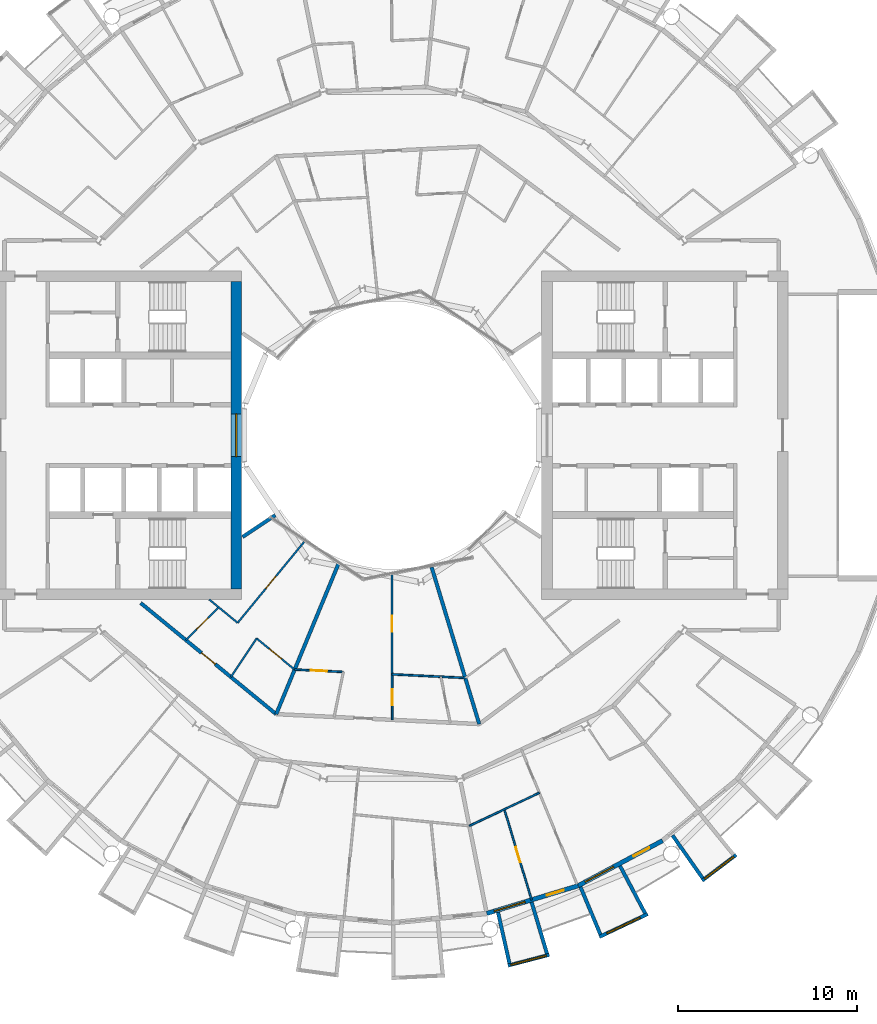
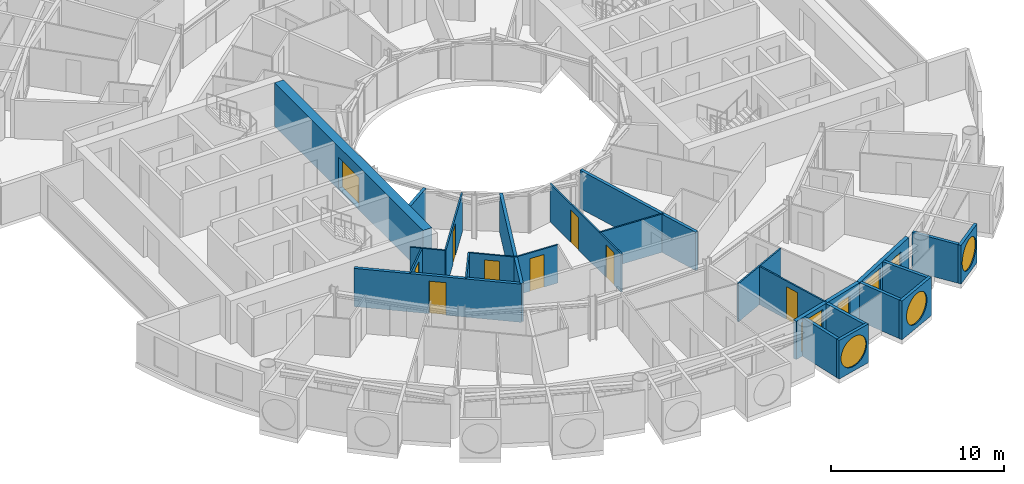
# One storey, part 16 of 27: 25 walls, 10 doors, 6 windows, 16 openings.
"""IFC4 building model written with IfcOpenShell, lengths in metres."""

from ifc_helpers import new_model, si_unit, direction, frame, frame_2d, origin, place, context, subcontext, project, spatial, rectangle, circle, extrude, material, layer, layer_set, type_object, element, fill, save


model = new_model("IFC4")

# Units and contexts
model_context = context("Model", 3, precision=1e-05, world=origin(), true_north=direction((0.0, 1.0)))
body_context = subcontext(model_context, "Body", "Model", "MODEL_VIEW")
ifc_project = project(units=[si_unit("LENGTHUNIT", "METRE"), si_unit("AREAUNIT", "SQUARE_METRE"), si_unit("VOLUMEUNIT", "CUBIC_METRE"), si_unit("PLANEANGLEUNIT", "RADIAN"), si_unit("MASSUNIT", "GRAM", prefix="KILO")], contexts=[model_context])

# Site, building, storey
site_placement = place(None, origin())
site = spatial("IfcSite", under=ifc_project, at=site_placement, CompositionType="ELEMENT")
building_placement = place(site_placement, origin())
building = spatial("IfcBuilding", under=site, at=building_placement, Name="Maasbend Ring Residences", CompositionType="ELEMENT")
storey_placement = place(building_placement, frame((0.0, 0.0, 111.64990234375)))
storey = spatial("IfcBuildingStorey", under=building, at=storey_placement, Name="L31", CompositionType="ELEMENT", Elevation=111.64990234375)

# Wall, opening, window
ifc_material_1 = material(Name="Concrete C60/75", Category="concrete")
ifc_layer_1 = layer(ifc_material_1, 0.60009765625)
ifc_layer_set_1 = layer_set([ifc_layer_1], Name="Concrete C60/75")
wall_type_1 = type_object("IfcWallType", Name="CORE WALL 600 C60/75", PredefinedType="SHEAR", material=ifc_layer_set_1)
wall_1_placement = place(storey_placement, frame((-8.699951171875, 8.60009765625, 0.0), z_axis=(0.0, 0.0, 1.0), x_axis=(0.0, -1.0, 0.0)))
wall_1 = element("IfcWall", 1, at=wall_1_placement, inside=storey, type_object=wall_type_1, Name="L31 core W wall PIN", PredefinedType="SHEAR", context=body_context, shape_type="SweptSolid", body=[
    extrude(rectangle(XDim=17.2001953125, YDim=0.60009765625, at=frame_2d((8.60009765625, 0.0))), origin(), (0.0, 0.0, 1.0), 3.050048828125),
])
opening_1_placement = place(wall_1_placement, frame((7.39990234375, 0.0, 0.10009765625)))
opening_1 = element("IfcOpeningElement", 2, at=opening_1_placement, cuts=wall_1, Name="Opening W-W3101", PredefinedType="OPENING", context=body_context, shape_type="SweptSolid", body=[
    extrude(rectangle(XDim=2.39990234375, YDim=2.199951171875, at=frame_2d((1.199951171875, 1.10009765625))), frame((0.0, 0.31005859375, 0.0), z_axis=(0.0, -1.0, 0.0), x_axis=(1.0, 0.0, 0.0)), (0.0, 0.0, 1.0), 0.6201171875),
])
ifc_material_2 = material(Name="Aluminium frame and clear glass", Category="aluminium")
window_type_1 = type_object("IfcWindowType", Name="FIXED WINDOW 2400 X 2200", PartitioningType="SINGLE_PANEL", PredefinedType="WINDOW", material=ifc_material_2)
window_1_placement = place(opening_1_placement, origin())
window_1 = element("IfcWindow", 3, at=window_1_placement, inside=storey, type_object=window_type_1, Name="Lobby window L31", OverallHeight=2.199951171875, OverallWidth=2.39990234375, PartitioningType="SINGLE_PANEL", PredefinedType="WINDOW", context=body_context, shape_type="SweptSolid", body=[
    extrude(rectangle(XDim=2.39990234375, YDim=2.199951171875, at=frame_2d((1.199951171875, 1.10009765625))), frame((0.0, 0.030029296875, 0.0), z_axis=(0.0, -1.0, 0.0), x_axis=(1.0, 0.0, 0.0)), (0.0, 0.0, 1.0), 0.06005859375),
])
fill(opening_1, window_1)

# Wall, opening, door
ifc_material_3 = material(Name="Concrete C30/37", Category="concrete")
ifc_layer_2 = layer(ifc_material_3, 0.199951171875)
ifc_layer_set_2 = layer_set([ifc_layer_2], Name="Concrete C30/37")
wall_type_2 = type_object("IfcWallType", Name="CORRIDOR WALL 200 CONCRETE", PredefinedType="PARTITIONING", material=ifc_layer_set_2)
wall_2_placement = place(storey_placement, frame((-14.050048828125, -9.39208984375, 0.0), z_axis=(0.0, 0.0, 1.0), x_axis=(0.773074935257, -0.634314704605, 0.0)))
wall_2 = element("IfcWall", 4, at=wall_2_placement, inside=storey, type_object=wall_type_2, Name="U-L31-w015", PredefinedType="PARTITIONING", context=body_context, shape_type="SweptSolid", body=[
    extrude(rectangle(XDim=9.808837890625, YDim=0.199951171875, at=frame_2d((4.904296875, 0.0))), origin(), (0.0, 0.0, 1.0), 2.7001953125),
])
opening_2_placement = place(wall_2_placement, frame((4.402099609375, 0.0, 0.0)))
opening_2 = element("IfcOpeningElement", 5, at=opening_2_placement, cuts=wall_2, Name="Opening D-3154", PredefinedType="OPENING", context=body_context, shape_type="SweptSolid", body=[
    extrude(rectangle(XDim=1.0, YDim=2.300048828125, at=frame_2d((0.5, 1.14990234375))), frame((0.0, 0.10986328125, 0.0), z_axis=(0.0, -1.0, 0.0), x_axis=(1.0, 0.0, 0.0)), (0.0, 0.0, 1.0), 0.219970703125),
])
ifc_material_4 = material(Name="Timber, fire-rated, painted", Category="wood")
door_type_1 = type_object("IfcDoorType", Name="FLAT ENTRANCE DOOR 1000 X 2300 FIRE-RATED", OperationType="NOTDEFINED", PredefinedType="DOOR", material=ifc_material_4)
door_1_placement = place(opening_2_placement, origin())
door_1 = element("IfcDoor", 6, at=door_1_placement, inside=storey, type_object=door_type_1, Name="D-3154", OperationType="SINGLE_SWING_LEFT", OverallHeight=2.300048828125, OverallWidth=1.0, PredefinedType="DOOR", context=body_context, shape_type="SweptSolid", body=[
    extrude(rectangle(XDim=1.0, YDim=2.300048828125, at=frame_2d((0.5, 1.14990234375))), frame((0.0, 0.02490234375, 0.0), z_axis=(0.0, -1.0, 0.0), x_axis=(1.0, 0.0, 0.0)), (0.0, 0.0, 1.0), 0.050048828125),
])
fill(opening_2, door_1)

# Wall, opening, window
ifc_material_5 = material(Name="Pale anodised aluminium panel", Category="aluminium")
ifc_layer_3 = layer(ifc_material_5, 0.199951171875)
ifc_layer_set_3 = layer_set([ifc_layer_3], Name="EW-BOX")
wall_type_3 = type_object("IfcWallType", Name="EW-BOX", PredefinedType="SOLIDWALL", material=ifc_layer_set_3)
wall_3_placement = place(storey_placement, frame((6.514892578125, -29.694091796875, -0.02978515625), z_axis=(0.0, 0.0, 1.0), x_axis=(0.967554339146, 0.252663018266, 0.0)))
wall_3 = element("IfcWall", 7, at=wall_3_placement, inside=storey, type_object=wall_type_3, Name="Box front S13", PredefinedType="SOLIDWALL", context=body_context, shape_type="SweptSolid", body=[
    extrude(rectangle(XDim=2.390625, YDim=0.199951171875, at=frame_2d((1.1953125, 0.0))), origin(), (0.0, 0.0, 1.0), 2.72998046875),
])
opening_3_placement = place(wall_3_placement, frame((0.15576171875, 0.0, 0.330078125)))
opening_3 = element("IfcOpeningElement", 8, at=opening_3_placement, cuts=wall_3, Name="Opening W-RD", PredefinedType="OPENING", context=body_context, shape_type="SweptSolid", body=[
    extrude(circle(Radius=1.0400390625, at=frame_2d((1.0400390625, 1.0400390625))), frame((0.0, 0.10986328125, 0.0), z_axis=(0.0, -1.0, 0.0), x_axis=(1.0, 0.0, 0.0)), (0.0, 0.0, 1.0), 0.219970703125),
])
ifc_material_6 = material(Name="Aluminium and clear glass", Category="aluminium")
window_type_2 = type_object("IfcWindowType", Name="W-RD", PartitioningType="SINGLE_PANEL", PredefinedType="WINDOW", material=ifc_material_6)
window_2_placement = place(opening_3_placement, origin())
window_2 = element("IfcWindow", 9, at=window_2_placement, inside=storey, type_object=window_type_2, Name="Round window S13", OverallHeight=2.080078125, OverallWidth=2.080078125, PartitioningType="SINGLE_PANEL", PredefinedType="WINDOW", context=body_context, shape_type="SweptSolid", body=[
    extrude(circle(Radius=1.0400390625, at=frame_2d((1.0400390625, 1.0400390625))), frame((0.0, 0.030029296875, 0.0), z_axis=(0.0, -1.0, 0.0), x_axis=(1.0, 0.0, 0.0)), (0.0, 0.0, 1.0), 0.06005859375),
])
fill(opening_3, window_2)

# Walls
wall_4_placement = place(storey_placement, frame((5.95703125, -26.715087890625, -0.02978515625), z_axis=(0.0, 0.0, 1.0), x_axis=(0.217857287091, -0.975980636315, 0.0)))
element("IfcWall", 10, at=wall_4_placement, inside=storey, type_object=wall_type_3, Name="Box side wall S13 left", PredefinedType="SOLIDWALL", context=body_context, shape_type="SweptSolid", body=[
    extrude(rectangle(XDim=2.92822265625, YDim=0.199951171875, at=frame_2d((1.464111328125, 0.0))), origin(), (0.0, 0.0, 1.0), 2.72998046875),
])
wall_5_placement = place(storey_placement, frame((7.8369140625, -26.14404296875, -0.02978515625), z_axis=(0.0, 0.0, 1.0), x_axis=(0.287064767992, -0.957911174889, 0.0)))
element("IfcWall", 11, at=wall_5_placement, inside=storey, type_object=wall_type_3, Name="Box side wall S13 right", PredefinedType="SOLIDWALL", context=body_context, shape_type="SweptSolid", body=[
    extrude(rectangle(XDim=3.00634765625, YDim=0.199951171875, at=frame_2d((1.503173828125, 0.0))), origin(), (0.0, 0.0, 1.0), 2.72998046875),
])

# Wall, opening, window
wall_6_placement = place(storey_placement, frame((11.62890625, -28.087890625, -0.02978515625), z_axis=(0.0, 0.0, 1.0), x_axis=(0.904000060331, 0.427532327342, 0.0)))
wall_6 = element("IfcWall", 12, at=wall_6_placement, inside=storey, type_object=wall_type_3, Name="Box front S15", PredefinedType="SOLIDWALL", context=body_context, shape_type="SweptSolid", body=[
    extrude(rectangle(XDim=2.993408203125, YDim=0.199951171875, at=frame_2d((1.49658203125, 0.0))), origin(), (0.0, 0.0, 1.0), 2.72998046875),
])
opening_4_placement = place(wall_6_placement, frame((0.45654296875, 0.0, 0.330078125)))
opening_4 = element("IfcOpeningElement", 13, at=opening_4_placement, cuts=wall_6, Name="Opening W-RD", PredefinedType="OPENING", context=body_context, shape_type="SweptSolid", body=[
    extrude(circle(Radius=1.0400390625, at=frame_2d((1.0400390625, 1.0400390625))), frame((0.0, 0.10986328125, 0.0), z_axis=(0.0, -1.0, 0.0), x_axis=(1.0, 0.0, 0.0)), (0.0, 0.0, 1.0), 0.219970703125),
])
window_3_placement = place(opening_4_placement, origin())
window_3 = element("IfcWindow", 14, at=window_3_placement, inside=storey, type_object=window_type_2, Name="Round window S15", OverallHeight=2.080078125, OverallWidth=2.080078125, PartitioningType="SINGLE_PANEL", PredefinedType="WINDOW", context=body_context, shape_type="SweptSolid", body=[
    extrude(circle(Radius=1.0400390625, at=frame_2d((1.0400390625, 1.0400390625))), frame((0.0, 0.030029296875, 0.0), z_axis=(0.0, -1.0, 0.0), x_axis=(1.0, 0.0, 0.0)), (0.0, 0.0, 1.0), 0.06005859375),
])
fill(opening_4, window_3)

# Walls
wall_7_placement = place(storey_placement, frame((10.574951171875, -25.294921875, -0.02978515625), z_axis=(0.0, 0.0, 1.0), x_axis=(0.385697364644, -0.922625353492, 0.0)))
element("IfcWall", 15, at=wall_7_placement, inside=storey, type_object=wall_type_3, Name="Box side wall S15 left", PredefinedType="SOLIDWALL", context=body_context, shape_type="SweptSolid", body=[
    extrude(rectangle(XDim=2.88330078125, YDim=0.199951171875, at=frame_2d((1.441650390625, 0.0))), origin(), (0.0, 0.0, 1.0), 2.72998046875),
])
wall_8_placement = place(storey_placement, frame((12.787109375, -24.113037109375, -0.02978515625), z_axis=(0.0, 0.0, 1.0), x_axis=(0.468365282436, -0.883534924159, 0.0)))
element("IfcWall", 16, at=wall_8_placement, inside=storey, type_object=wall_type_3, Name="Box side wall S15 right", PredefinedType="SOLIDWALL", context=body_context, shape_type="SweptSolid", body=[
    extrude(rectangle(XDim=3.006103515625, YDim=0.199951171875, at=frame_2d((1.5029296875, 0.0))), origin(), (0.0, 0.0, 1.0), 2.72998046875),
])

# Wall, opening, window
wall_9_placement = place(storey_placement, frame((17.382080078125, -24.93994140625, -0.02978515625), z_axis=(0.0, 0.0, 1.0), x_axis=(0.797456837111, 0.603375996329, 0.0)))
wall_9 = element("IfcWall", 17, at=wall_9_placement, inside=storey, type_object=wall_type_3, Name="Box front S17", PredefinedType="SOLIDWALL", context=body_context, shape_type="SweptSolid", body=[
    extrude(rectangle(XDim=2.391357421875, YDim=0.199951171875, at=frame_2d((1.19580078125, 0.0))), origin(), (0.0, 0.0, 1.0), 2.72998046875),
])
opening_5_placement = place(wall_9_placement, frame((0.15576171875, 0.0, 0.330078125)))
opening_5 = element("IfcOpeningElement", 18, at=opening_5_placement, cuts=wall_9, Name="Opening W-RD", PredefinedType="OPENING", context=body_context, shape_type="SweptSolid", body=[
    extrude(circle(Radius=1.0400390625, at=frame_2d((1.0400390625, 1.0400390625))), frame((0.0, 0.10986328125, 0.0), z_axis=(0.0, -1.0, 0.0), x_axis=(1.0, 0.0, 0.0)), (0.0, 0.0, 1.0), 0.219970703125),
])
window_4_placement = place(opening_5_placement, origin())
window_4 = element("IfcWindow", 19, at=window_4_placement, inside=storey, type_object=window_type_2, Name="Round window S17", OverallHeight=2.080078125, OverallWidth=2.080078125, PartitioningType="SINGLE_PANEL", PredefinedType="WINDOW", context=body_context, shape_type="SweptSolid", body=[
    extrude(circle(Radius=1.0400390625, at=frame_2d((1.0400390625, 1.0400390625))), frame((0.0, 0.030029296875, 0.0), z_axis=(0.0, -1.0, 0.0), x_axis=(1.0, 0.0, 0.0)), (0.0, 0.0, 1.0), 0.06005859375),
])
fill(opening_5, window_4)

# Wall
wall_10_placement = place(storey_placement, frame((15.72607421875, -22.402099609375, -0.02978515625), z_axis=(0.0, 0.0, 1.0), x_axis=(0.574826383135, -0.818275399393, 0.0)))
element("IfcWall", 20, at=wall_10_placement, inside=storey, type_object=wall_type_3, Name="Box side wall S17 left", PredefinedType="SOLIDWALL", context=body_context, shape_type="SweptSolid", body=[
    extrude(rectangle(XDim=2.92919921875, YDim=0.199951171875, at=frame_2d((1.464599609375, 0.0))), origin(), (0.0, 0.0, 1.0), 2.72998046875),
])

# Wall, openings, door, window
ifc_material_7 = material(Name="Aluminium clad insulated panel", Category="aluminium")
ifc_layer_4 = layer(ifc_material_7, 0.25)
ifc_layer_set_4 = layer_set([ifc_layer_4], Name="EW-GL")
wall_type_4 = type_object("IfcWallType", Name="EW-GL", PredefinedType="SOLIDWALL", material=ifc_layer_set_4)
wall_11_placement = place(storey_placement, frame((5.325927734375, -26.77490234375, 0.0), z_axis=(0.0, 0.0, 1.0), x_axis=(0.956965678721, 0.290201119486, 0.0)))
wall_11 = element("IfcWall", 21, at=wall_11_placement, inside=storey, type_object=wall_type_4, Name="External wall S07", PredefinedType="SOLIDWALL", context=body_context, shape_type="SweptSolid", body=[
    extrude(rectangle(XDim=5.351318359375, YDim=0.25, at=frame_2d((2.67578125, 0.0))), origin(), (0.0, 0.0, 1.0), 2.7001953125),
])
opening_6_placement = place(wall_11_placement, frame((0.441162109375, 0.0, 0.300048828125)))
opening_6 = element("IfcOpeningElement", 22, at=opening_6_placement, cuts=wall_11, Name="Opening W-BX", PredefinedType="OPENING", context=body_context, shape_type="SweptSolid", body=[
    extrude(rectangle(XDim=1.800048828125, YDim=2.10009765625, at=frame_2d((0.89990234375, 1.050048828125))), frame((0.0, 0.135009765625, 0.0), z_axis=(0.0, -1.0, 0.0), x_axis=(1.0, 0.0, 0.0)), (0.0, 0.0, 1.0), 0.27001953125),
])
opening_7_placement = place(wall_11_placement, frame((3.510498046875, 0.0, 0.0)))
opening_7 = element("IfcOpeningElement", 23, at=opening_7_placement, cuts=wall_11, Name="Opening D-LG", PredefinedType="OPENING", context=body_context, shape_type="SweptSolid", body=[
    extrude(rectangle(XDim=1.0, YDim=2.199951171875, at=frame_2d((0.5, 1.10009765625))), frame((0.0, 0.135009765625, 0.0), z_axis=(0.0, -1.0, 0.0), x_axis=(1.0, 0.0, 0.0)), (0.0, 0.0, 1.0), 0.27001953125),
])
ifc_material_8 = material(Name="Aluminium and clear glass", Category="aluminium")
door_type_2 = type_object("IfcDoorType", Name="D-LG", OperationType="SINGLE_SWING_LEFT", PredefinedType="DOOR", material=ifc_material_8)
door_2_placement = place(opening_7_placement, origin())
door_2 = element("IfcDoor", 24, at=door_2_placement, inside=storey, type_object=door_type_2, Name="Loggia door S14", OperationType="SINGLE_SWING_LEFT", OverallHeight=2.199951171875, OverallWidth=1.0, PredefinedType="DOOR", context=body_context, shape_type="SweptSolid", body=[
    extrude(rectangle(XDim=1.0, YDim=2.199951171875, at=frame_2d((0.5, 1.10009765625))), frame((0.0, 0.02490234375, 0.0), z_axis=(0.0, -1.0, 0.0), x_axis=(1.0, 0.0, 0.0)), (0.0, 0.0, 1.0), 0.050048828125),
])
fill(opening_7, door_2)
ifc_material_9 = material(Name="Aluminium and clear glass", Category="aluminium")
window_type_3 = type_object("IfcWindowType", Name="W-BX", PartitioningType="DOUBLE_PANEL_VERTICAL", PredefinedType="WINDOW", material=ifc_material_9)
window_5_placement = place(opening_6_placement, origin())
window_5 = element("IfcWindow", 25, at=window_5_placement, inside=storey, type_object=window_type_3, Name="Window S13 room to box", OverallHeight=2.10009765625, OverallWidth=1.800048828125, PartitioningType="SINGLE_PANEL", PredefinedType="WINDOW", context=body_context, shape_type="SweptSolid", body=[
    extrude(rectangle(XDim=1.800048828125, YDim=2.10009765625, at=frame_2d((0.89990234375, 1.050048828125))), frame((0.0, 0.030029296875, 0.0), z_axis=(0.0, -1.0, 0.0), x_axis=(1.0, 0.0, 0.0)), (0.0, 0.0, 1.0), 0.06005859375),
])
fill(opening_6, window_5)

wall_12_placement = place(storey_placement, frame((10.447021484375, -25.221923828125, 0.0), z_axis=(0.0, 0.0, 1.0), x_axis=(0.881915646801, 0.471407246368, 0.0)))
wall_12 = element("IfcWall", 26, at=wall_12_placement, inside=storey, type_object=wall_type_4, Name="External wall S08", PredefinedType="SOLIDWALL", context=body_context, shape_type="SweptSolid", body=[
    extrude(rectangle(XDim=5.35205078125, YDim=0.25, at=frame_2d((2.676025390625, 0.0))), origin(), (0.0, 0.0, 1.0), 2.7001953125),
])
opening_8_placement = place(wall_12_placement, frame((0.441162109375, 0.0, 0.300048828125)))
opening_8 = element("IfcOpeningElement", 27, at=opening_8_placement, cuts=wall_12, Name="Opening W-BX", PredefinedType="OPENING", context=body_context, shape_type="SweptSolid", body=[
    extrude(rectangle(XDim=1.800048828125, YDim=2.10009765625, at=frame_2d((0.89990234375, 1.050048828125))), frame((0.0, 0.135009765625, 0.0), z_axis=(0.0, -1.0, 0.0), x_axis=(1.0, 0.0, 0.0)), (0.0, 0.0, 1.0), 0.27001953125),
])
opening_9_placement = place(wall_12_placement, frame((3.510498046875, 0.0, 0.0)))
opening_9 = element("IfcOpeningElement", 28, at=opening_9_placement, cuts=wall_12, Name="Opening D-LG", PredefinedType="OPENING", context=body_context, shape_type="SweptSolid", body=[
    extrude(rectangle(XDim=1.0, YDim=2.199951171875, at=frame_2d((0.5, 1.10009765625))), frame((0.0, 0.135009765625, 0.0), z_axis=(0.0, -1.0, 0.0), x_axis=(1.0, 0.0, 0.0)), (0.0, 0.0, 1.0), 0.27001953125),
])
door_3_placement = place(opening_9_placement, origin())
door_3 = element("IfcDoor", 29, at=door_3_placement, inside=storey, type_object=door_type_2, Name="Loggia door S16", OperationType="SINGLE_SWING_LEFT", OverallHeight=2.199951171875, OverallWidth=1.0, PredefinedType="DOOR", context=body_context, shape_type="SweptSolid", body=[
    extrude(rectangle(XDim=1.0, YDim=2.199951171875, at=frame_2d((0.5, 1.10009765625))), frame((0.0, 0.02490234375, 0.0), z_axis=(0.0, -1.0, 0.0), x_axis=(1.0, 0.0, 0.0)), (0.0, 0.0, 1.0), 0.050048828125),
])
fill(opening_9, door_3)
window_6_placement = place(opening_8_placement, origin())
window_6 = element("IfcWindow", 30, at=window_6_placement, inside=storey, type_object=window_type_3, Name="Window S15 room to box", OverallHeight=2.10009765625, OverallWidth=1.800048828125, PartitioningType="SINGLE_PANEL", PredefinedType="WINDOW", context=body_context, shape_type="SweptSolid", body=[
    extrude(rectangle(XDim=1.800048828125, YDim=2.10009765625, at=frame_2d((0.89990234375, 1.050048828125))), frame((0.0, 0.030029296875, 0.0), z_axis=(0.0, -1.0, 0.0), x_axis=(1.0, 0.0, 0.0)), (0.0, 0.0, 1.0), 0.06005859375),
])
fill(opening_8, window_6)

# Walls
ifc_material_10 = material(Name="Gypsum board on steel studs", Category="steel")
ifc_layer_5 = layer(ifc_material_10, 0.10009765625)
ifc_layer_set_5 = layer_set([ifc_layer_5], Name="PARTITION 100 GYPSUM")
wall_type_5 = type_object("IfcWallType", Name="PARTITION 100 GYPSUM", PredefinedType="PARTITIONING", material=ifc_layer_set_5)
wall_13_placement = place(storey_placement, frame((4.35205078125, -21.873046875, 0.0), z_axis=(0.0, 0.0, 1.0), x_axis=(0.903905215872, 0.427732814639, 0.0)))
element("IfcWall", 31, at=wall_13_placement, inside=storey, type_object=wall_type_5, Name="U-L31-w005", PredefinedType="PARTITIONING", context=body_context, shape_type="SweptSolid", body=[
    extrude(rectangle(XDim=4.33447265625, YDim=0.10009765625, at=frame_2d((2.167236328125, 0.0))), origin(), (0.0, 0.0, 1.0), 2.7001953125),
])
wall_14_placement = place(storey_placement, frame((-10.212890625, -9.197021484375, 0.0), z_axis=(0.0, 0.0, 1.0), x_axis=(0.772817828959, -0.634627925042, 0.0)))
element("IfcWall", 32, at=wall_14_placement, inside=storey, type_object=wall_type_5, Name="U-L31-w018", PredefinedType="PARTITIONING", context=body_context, shape_type="SweptSolid", body=[
    extrude(rectangle(XDim=2.0546875, YDim=0.10009765625, at=frame_2d((1.02734375, 0.0))), origin(), (0.0, 0.0, 1.0), 2.7001953125),
])

# Wall, opening, door
wall_15_placement = place(storey_placement, frame((-7.56298828125, -11.373046875, 0.0), z_axis=(0.0, 0.0, 1.0), x_axis=(0.772732480827, -0.634731843439, 0.0)))
wall_15 = element("IfcWall", 33, at=wall_15_placement, inside=storey, type_object=wall_type_5, Name="U-L31-w019", PredefinedType="PARTITIONING", context=body_context, shape_type="SweptSolid", body=[
    extrude(rectangle(XDim=2.74755859375, YDim=0.10009765625, at=frame_2d((1.373779296875, 0.0))), origin(), (0.0, 0.0, 1.0), 2.7001953125),
])
opening_10_placement = place(wall_15_placement, frame((0.929931640625, 0.0, 0.0)))
opening_10 = element("IfcOpeningElement", 34, at=opening_10_placement, cuts=wall_15, Name="Opening D-3155", PredefinedType="OPENING", context=body_context, shape_type="SweptSolid", body=[
    extrude(rectangle(XDim=0.89990234375, YDim=2.300048828125, at=frame_2d((0.449951171875, 1.14990234375))), frame((0.0, 0.06005859375, 0.0), z_axis=(0.0, -1.0, 0.0), x_axis=(1.0, 0.0, 0.0)), (0.0, 0.0, 1.0), 0.1201171875),
])
ifc_material_11 = material(Name="Timber, painted", Category="wood")
door_type_3 = type_object("IfcDoorType", Name="INTERNAL DOOR 900 X 2300", OperationType="NOTDEFINED", PredefinedType="DOOR", material=ifc_material_11)
door_4_placement = place(opening_10_placement, origin())
door_4 = element("IfcDoor", 35, at=door_4_placement, inside=storey, type_object=door_type_3, Name="D-3155", OperationType="SINGLE_SWING_RIGHT", OverallHeight=2.300048828125, OverallWidth=0.89990234375, PredefinedType="DOOR", context=body_context, shape_type="SweptSolid", body=[
    extrude(rectangle(XDim=0.89990234375, YDim=2.300048828125, at=frame_2d((0.449951171875, 1.14990234375))), frame((0.0, 0.02490234375, 0.0), z_axis=(0.0, -1.0, 0.0), x_axis=(1.0, 0.0, 0.0)), (0.0, 0.0, 1.0), 0.050048828125),
])
fill(opening_10, door_4)

wall_16_placement = place(storey_placement, frame((-5.43408203125, -13.118896484375, 0.0), z_axis=(0.0, 0.0, 1.0), x_axis=(0.998796928508, -0.049037695739, 0.0)))
wall_16 = element("IfcWall", 36, at=wall_16_placement, inside=storey, type_object=wall_type_5, Name="U-L31-w020", PredefinedType="PARTITIONING", context=body_context, shape_type="SweptSolid", body=[
    extrude(rectangle(XDim=2.733154296875, YDim=0.10009765625, at=frame_2d((1.36669921875, 0.0))), origin(), (0.0, 0.0, 1.0), 2.7001953125),
])
opening_11_placement = place(wall_16_placement, frame((0.9169921875, 0.0, 0.0)))
opening_11 = element("IfcOpeningElement", 37, at=opening_11_placement, cuts=wall_16, Name="Opening D-3159", PredefinedType="OPENING", context=body_context, shape_type="SweptSolid", body=[
    extrude(rectangle(XDim=0.89990234375, YDim=2.300048828125, at=frame_2d((0.449951171875, 1.14990234375))), frame((0.0, 0.06005859375, 0.0), z_axis=(0.0, -1.0, 0.0), x_axis=(1.0, 0.0, 0.0)), (0.0, 0.0, 1.0), 0.1201171875),
])
door_5_placement = place(opening_11_placement, origin())
door_5 = element("IfcDoor", 38, at=door_5_placement, inside=storey, type_object=door_type_3, Name="D-3159", OperationType="SINGLE_SWING_LEFT", OverallHeight=2.300048828125, OverallWidth=0.89990234375, PredefinedType="DOOR", context=body_context, shape_type="SweptSolid", body=[
    extrude(rectangle(XDim=0.89990234375, YDim=2.300048828125, at=frame_2d((0.449951171875, 1.14990234375))), frame((0.0, 0.02490234375, 0.0), z_axis=(0.0, -1.0, 0.0), x_axis=(1.0, 0.0, 0.0)), (0.0, 0.0, 1.0), 0.050048828125),
])
fill(opening_11, door_5)

# Wall
wall_17_placement = place(storey_placement, frame((0.027099609375, -13.386962890625, 0.0), z_axis=(0.0, 0.0, 1.0), x_axis=(0.998789681748, -0.049185075323, 0.0)))
element("IfcWall", 39, at=wall_17_placement, inside=storey, type_object=wall_type_5, Name="U-L31-w021", PredefinedType="PARTITIONING", context=body_context, shape_type="SweptSolid", body=[
    extrude(rectangle(XDim=4.10986328125, YDim=0.10009765625, at=frame_2d((2.054931640625, 0.0))), origin(), (0.0, 0.0, 1.0), 2.7001953125),
])

# Wall, opening, door
wall_18_placement = place(storey_placement, frame((-11.52392578125, -11.464111328125, 0.0), z_axis=(0.0, 0.0, 1.0), x_axis=(0.708796844581, 0.705412668665, 0.0)))
wall_18 = element("IfcWall", 40, at=wall_18_placement, inside=storey, type_object=wall_type_5, Name="U-L31-w040", PredefinedType="PARTITIONING", context=body_context, shape_type="SweptSolid", body=[
    extrude(rectangle(XDim=2.59716796875, YDim=0.10009765625, at=frame_2d((1.298583984375, 0.0))), origin(), (0.0, 0.0, 1.0), 2.7001953125),
])
opening_12_placement = place(wall_18_placement, frame((0.84912109375, 0.0, 0.0)))
opening_12 = element("IfcOpeningElement", 41, at=opening_12_placement, cuts=wall_18, Name="Opening D-3156", PredefinedType="OPENING", context=body_context, shape_type="SweptSolid", body=[
    extrude(rectangle(XDim=0.89990234375, YDim=2.300048828125, at=frame_2d((0.449951171875, 1.14990234375))), frame((0.0, 0.06005859375, 0.0), z_axis=(0.0, -1.0, 0.0), x_axis=(1.0, 0.0, 0.0)), (0.0, 0.0, 1.0), 0.1201171875),
])
door_6_placement = place(opening_12_placement, origin())
door_6 = element("IfcDoor", 42, at=door_6_placement, inside=storey, type_object=door_type_3, Name="D-3156", OperationType="SINGLE_SWING_RIGHT", OverallHeight=2.300048828125, OverallWidth=0.89990234375, PredefinedType="DOOR", context=body_context, shape_type="SweptSolid", body=[
    extrude(rectangle(XDim=0.89990234375, YDim=2.300048828125, at=frame_2d((0.449951171875, 1.14990234375))), frame((0.0, 0.02490234375, 0.0), z_axis=(0.0, -1.0, 0.0), x_axis=(1.0, 0.0, 0.0)), (0.0, 0.0, 1.0), 0.050048828125),
])
fill(opening_12, door_6)

# Wall
wall_19_placement = place(storey_placement, frame((-8.99609375, -13.5390625, 0.0), z_axis=(0.0, 0.0, 1.0), x_axis=(0.553615197403, 0.83277260594, 0.0)))
element("IfcWall", 43, at=wall_19_placement, inside=storey, type_object=wall_type_5, Name="U-L31-w044", PredefinedType="PARTITIONING", context=body_context, shape_type="SweptSolid", body=[
    extrude(rectangle(XDim=2.597412109375, YDim=0.10009765625, at=frame_2d((1.298828125, 0.0))), origin(), (0.0, 0.0, 1.0), 2.7001953125),
])

# Wall, opening, door
wall_20_placement = place(storey_placement, frame((-8.6201171875, -10.50390625, 0.0), z_axis=(0.0, 0.0, 1.0), x_axis=(0.634539754242, 0.772890225249, 0.0)))
wall_20 = element("IfcWall", 44, at=wall_20_placement, inside=storey, type_object=wall_type_5, Name="U-L31-w046", PredefinedType="PARTITIONING", context=body_context, shape_type="SweptSolid", body=[
    extrude(rectangle(XDim=5.867431640625, YDim=0.10009765625, at=frame_2d((2.93359375, 0.0))), origin(), (0.0, 0.0, 1.0), 2.7001953125),
])
opening_13_placement = place(wall_20_placement, frame((2.48388671875, 0.0, 0.0)))
opening_13 = element("IfcOpeningElement", 45, at=opening_13_placement, cuts=wall_20, Name="Opening D-3157", PredefinedType="OPENING", context=body_context, shape_type="SweptSolid", body=[
    extrude(rectangle(XDim=0.89990234375, YDim=2.300048828125, at=frame_2d((0.449951171875, 1.14990234375))), frame((0.0, 0.06005859375, 0.0), z_axis=(0.0, -1.0, 0.0), x_axis=(1.0, 0.0, 0.0)), (0.0, 0.0, 1.0), 0.1201171875),
])
door_7_placement = place(opening_13_placement, origin())
door_7 = element("IfcDoor", 46, at=door_7_placement, inside=storey, type_object=door_type_3, Name="D-3157", OperationType="SINGLE_SWING_RIGHT", OverallHeight=2.300048828125, OverallWidth=0.89990234375, PredefinedType="DOOR", context=body_context, shape_type="SweptSolid", body=[
    extrude(rectangle(XDim=0.89990234375, YDim=2.300048828125, at=frame_2d((0.449951171875, 1.14990234375))), frame((0.0, 0.02490234375, 0.0), z_axis=(0.0, -1.0, 0.0), x_axis=(1.0, 0.0, 0.0)), (0.0, 0.0, 1.0), 0.050048828125),
])
fill(opening_13, door_7)

# Wall, openings, doors
wall_21_placement = place(storey_placement, frame((0.031982421875, -15.93310546875, 0.0), z_axis=(0.0, 0.0, 1.0), x_axis=(-0.0019321625, 0.999998133372, 0.0)))
wall_21 = element("IfcWall", 47, at=wall_21_placement, inside=storey, type_object=wall_type_5, Name="U-L31-w058", PredefinedType="PARTITIONING", context=body_context, shape_type="SweptSolid", body=[
    extrude(rectangle(XDim=8.213134765625, YDim=0.10009765625, at=frame_2d((4.1064453125, 0.0))), origin(), (0.0, 0.0, 1.0), 2.7001953125),
])
opening_14_placement = place(wall_21_placement, frame((0.822998046875, 0.0, 0.0)))
opening_14 = element("IfcOpeningElement", 48, at=opening_14_placement, cuts=wall_21, Name="Opening D-3160", PredefinedType="OPENING", context=body_context, shape_type="SweptSolid", body=[
    extrude(rectangle(XDim=0.89990234375, YDim=2.300048828125, at=frame_2d((0.449951171875, 1.14990234375))), frame((0.0, 0.06005859375, 0.0), z_axis=(0.0, -1.0, 0.0), x_axis=(1.0, 0.0, 0.0)), (0.0, 0.0, 1.0), 0.1201171875),
])
opening_15_placement = place(wall_21_placement, frame((4.929931640625, 0.0, 0.0)))
opening_15 = element("IfcOpeningElement", 49, at=opening_15_placement, cuts=wall_21, Name="Opening D-3162", PredefinedType="OPENING", context=body_context, shape_type="SweptSolid", body=[
    extrude(rectangle(XDim=0.89990234375, YDim=2.300048828125, at=frame_2d((0.449951171875, 1.14990234375))), frame((0.0, 0.06005859375, 0.0), z_axis=(0.0, -1.0, 0.0), x_axis=(1.0, 0.0, 0.0)), (0.0, 0.0, 1.0), 0.1201171875),
])
door_8_placement = place(opening_14_placement, origin())
door_8 = element("IfcDoor", 50, at=door_8_placement, inside=storey, type_object=door_type_3, Name="D-3160", OperationType="SINGLE_SWING_LEFT", OverallHeight=2.300048828125, OverallWidth=0.89990234375, PredefinedType="DOOR", context=body_context, shape_type="SweptSolid", body=[
    extrude(rectangle(XDim=0.89990234375, YDim=2.300048828125, at=frame_2d((0.449951171875, 1.14990234375))), frame((0.0, 0.02490234375, 0.0), z_axis=(0.0, -1.0, 0.0), x_axis=(1.0, 0.0, 0.0)), (0.0, 0.0, 1.0), 0.050048828125),
])
fill(opening_14, door_8)
door_9_placement = place(opening_15_placement, origin())
door_9 = element("IfcDoor", 51, at=door_9_placement, inside=storey, type_object=door_type_3, Name="D-3162", OperationType="SINGLE_SWING_RIGHT", OverallHeight=2.300048828125, OverallWidth=0.89990234375, PredefinedType="DOOR", context=body_context, shape_type="SweptSolid", body=[
    extrude(rectangle(XDim=0.89990234375, YDim=2.300048828125, at=frame_2d((0.449951171875, 1.14990234375))), frame((0.0, 0.02490234375, 0.0), z_axis=(0.0, -1.0, 0.0), x_axis=(1.0, 0.0, 0.0)), (0.0, 0.0, 1.0), 0.050048828125),
])
fill(opening_15, door_9)

# Wall, opening, door
wall_22_placement = place(storey_placement, frame((6.31005859375, -20.945068359375, 0.0), z_axis=(0.0, 0.0, 1.0), x_axis=(0.288484435279, -0.957484585047, 0.0)))
wall_22 = element("IfcWall", 52, at=wall_22_placement, inside=storey, type_object=wall_type_5, Name="U-L31-w070", PredefinedType="PARTITIONING", context=body_context, shape_type="SweptSolid", body=[
    extrude(rectangle(XDim=5.30029296875, YDim=0.10009765625, at=frame_2d((2.650146484375, 0.0))), origin(), (0.0, 0.0, 1.0), 2.7001953125),
])
opening_16_placement = place(wall_22_placement, frame((2.199951171875, 0.0, 0.0)))
opening_16 = element("IfcOpeningElement", 53, at=opening_16_placement, cuts=wall_22, Name="Opening D-3150", PredefinedType="OPENING", context=body_context, shape_type="SweptSolid", body=[
    extrude(rectangle(XDim=0.89990234375, YDim=2.300048828125, at=frame_2d((0.449951171875, 1.14990234375))), frame((0.0, 0.06005859375, 0.0), z_axis=(0.0, -1.0, 0.0), x_axis=(1.0, 0.0, 0.0)), (0.0, 0.0, 1.0), 0.1201171875),
])
door_10_placement = place(opening_16_placement, origin())
door_10 = element("IfcDoor", 54, at=door_10_placement, inside=storey, type_object=door_type_3, Name="D-3150", OperationType="SINGLE_SWING_RIGHT", OverallHeight=2.300048828125, OverallWidth=0.89990234375, PredefinedType="DOOR", context=body_context, shape_type="SweptSolid", body=[
    extrude(rectangle(XDim=0.89990234375, YDim=2.300048828125, at=frame_2d((0.449951171875, 1.14990234375))), frame((0.0, 0.02490234375, 0.0), z_axis=(0.0, -1.0, 0.0), x_axis=(1.0, 0.0, 0.0)), (0.0, 0.0, 1.0), 0.050048828125),
])
fill(opening_16, door_10)

# Walls
ifc_material_12 = material(Name="Concrete C30/37", Category="concrete")
ifc_layer_6 = layer(ifc_material_12, 0.199951171875)
ifc_layer_set_6 = layer_set([ifc_layer_6], Name="Concrete C30/37")
wall_type_6 = type_object("IfcWallType", Name="PARTY WALL 200 CONCRETE", PredefinedType="PARTITIONING", material=ifc_layer_set_6)
wall_23_placement = place(storey_placement, frame((-6.512939453125, -4.471923828125, 0.0), z_axis=(0.0, 0.0, 1.0), x_axis=(-0.831333375071, -0.555774072347, 0.0)))
element("IfcWall", 55, at=wall_23_placement, inside=storey, type_object=wall_type_6, Name="U-L31-w026", PredefinedType="PARTITIONING", context=body_context, shape_type="SweptSolid", body=[
    extrude(rectangle(XDim=2.20263671875, YDim=0.199951171875, at=frame_2d((1.101318359375, 0.0))), origin(), (0.0, 0.0, 1.0), 2.7001953125),
])
wall_24_placement = place(storey_placement, frame((-6.4619140625, -15.615966796875, 0.0), z_axis=(0.0, 0.0, 1.0), x_axis=(0.382556139466, 0.923932248683, 0.0)))
element("IfcWall", 56, at=wall_24_placement, inside=storey, type_object=wall_type_6, Name="U-L31-w049", PredefinedType="PARTITIONING", context=body_context, shape_type="SweptSolid", body=[
    extrude(rectangle(XDim=9.18017578125, YDim=0.199951171875, at=frame_2d((4.590087890625, 0.0))), origin(), (0.0, 0.0, 1.0), 2.7001953125),
])
wall_25_placement = place(storey_placement, frame((2.239990234375, -7.387939453125, 0.0), z_axis=(0.0, 0.0, 1.0), x_axis=(0.290420725025, -0.956899055531, 0.0)))
element("IfcWall", 57, at=wall_25_placement, inside=storey, type_object=wall_type_6, Name="U-L31-w063", PredefinedType="PARTITIONING", context=body_context, shape_type="SweptSolid", body=[
    extrude(rectangle(XDim=9.179931640625, YDim=0.199951171875, at=frame_2d((4.58984375, 0.0))), origin(), (0.0, 0.0, 1.0), 2.7001953125),
])

save(model, "model.ifc")
